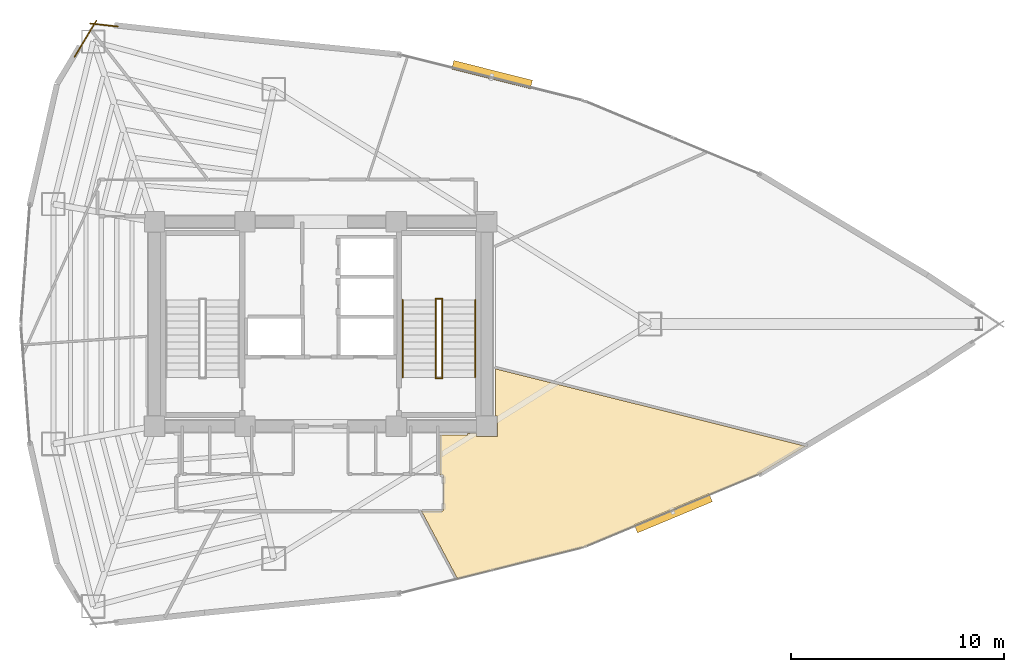
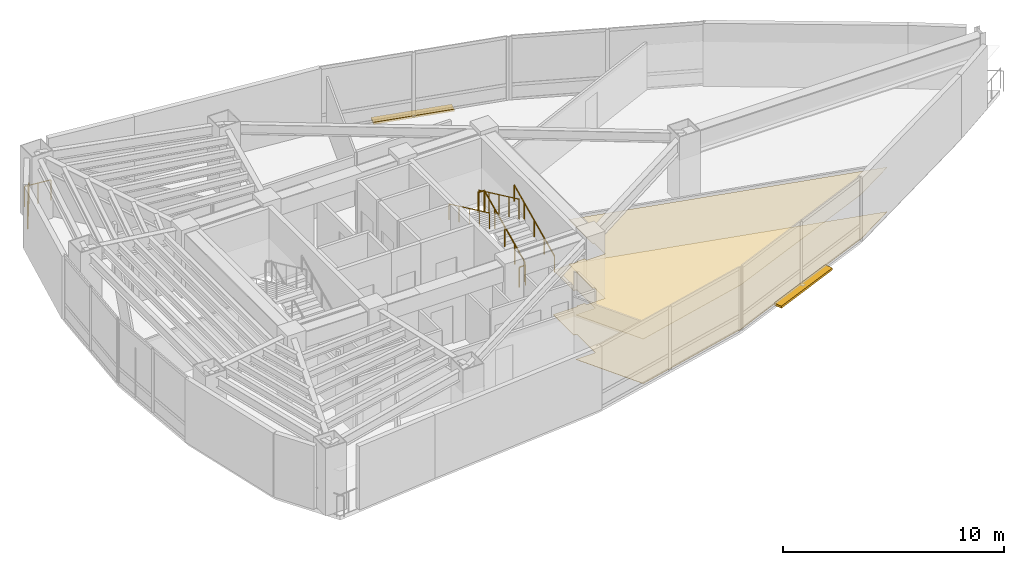
# One storey, part 17 of 18: 8 railings, 2 coverings, 2 shading devices.
"""IFC4 building model written with IfcOpenShell, lengths in metres."""

from ifc_helpers import new_model, si_unit, direction, frame, origin, origin_2d, place, context, subcontext, project, spatial, polyline, rectangle, circle, outline, extrude, material, layer, layer_set, type_object, element, save


model = new_model("IFC4")

# Units and contexts
model_context = context("Model", 3, precision=1e-05, world=origin(), true_north=direction((0.0, 1.0)))
body_context = subcontext(model_context, "Body", "Model", "MODEL_VIEW")
ifc_project = project(units=[si_unit("LENGTHUNIT", "METRE"), si_unit("AREAUNIT", "SQUARE_METRE"), si_unit("VOLUMEUNIT", "CUBIC_METRE"), si_unit("PLANEANGLEUNIT", "RADIAN"), si_unit("MASSUNIT", "GRAM", prefix="KILO")], contexts=[model_context])

# Site, building, storey
site_placement = place(None, origin())
site = spatial("IfcSite", under=ifc_project, at=site_placement, CompositionType="ELEMENT")
building_placement = place(site_placement, origin())
building = spatial("IfcBuilding", under=site, at=building_placement, Name="Menara Vayukalpa", CompositionType="ELEMENT")
storey_placement = place(building_placement, frame((0.0, 0.0, 161.760009765625)))
storey = spatial("IfcBuildingStorey", under=building, at=storey_placement, Name="L40", CompositionType="ELEMENT", Elevation=161.760009765625)

# Coverings
ifc_material_1 = material(Name="Mineral Fibre Acoustic Ceiling Tile", Category="masonry")
ifc_layer_1 = layer(ifc_material_1, 0.02490234375)
ifc_layer_set_1 = layer_set([ifc_layer_1], Name="Mineral Fibre Acoustic Ceiling Tile")
covering_type_1 = type_object("IfcCoveringType", Name="COV-CLG1", PredefinedType="CEILING", material=ifc_layer_set_1)
covering_1_placement = place(storey_placement, frame((0.0, 0.0, 2.449951171875)))
element("IfcCovering", 1, at=covering_1_placement, inside=storey, type_object=covering_type_1, Name="L40 Executive Office Suite Acoustic Ceiling", PredefinedType="CEILING", context=body_context, shape_type="SweptSolid", body=[
    extrude(outline(polyline([(37.957763671875, 11.53173828125), (32.0322265625, 10.046630859375), (32.031494140625, 10.04638671875), (32.030517578125, 10.04638671875), (32.029541015625, 10.04638671875), (32.028564453125, 10.04638671875), (32.027587890625, 10.046630859375), (32.026611328125, 10.046875), (32.02587890625, 10.047119140625), (32.02490234375, 10.047607421875), (32.024169921875, 10.048095703125), (32.0234375, 10.048583984375), (32.022705078125, 10.04931640625), (32.022216796875, 10.050048828125), (32.021484375, 10.05078125), (32.02099609375, 10.051513671875), (30.34423828125, 13.205322265625), (30.34375, 13.206298828125), (30.343505859375, 13.20703125), (30.34326171875, 13.2080078125), (30.343017578125, 13.208984375), (30.343017578125, 13.2099609375), (30.343017578125, 13.2109375), (30.34326171875, 13.2119140625), (30.343505859375, 13.212890625), (30.34375, 13.2138671875), (30.34423828125, 13.214599609375), (30.3447265625, 13.215576171875), (30.34521484375, 13.21630859375), (30.345947265625, 13.217041015625), (30.3466796875, 13.2177734375), (30.347412109375, 13.21826171875), (30.348388671875, 13.21875), (30.34912109375, 13.21923828125), (30.35009765625, 13.219482421875), (30.35107421875, 13.2197265625), (30.35205078125, 13.219970703125), (30.35302734375, 13.219970703125), (31.2998046875, 13.219970703125), (31.306884765625, 13.220458984375), (31.313720703125, 13.22119140625), (31.3203125, 13.222900390625), (31.326904296875, 13.225341796875), (31.3330078125, 13.228271484375), (31.3388671875, 13.231689453125), (31.344482421875, 13.236083984375), (31.349609375, 13.240478515625), (31.35400390625, 13.24560546875), (31.358154296875, 13.251220703125), (31.36181640625, 13.257080078125), (31.36474609375, 13.26318359375), (31.366943359375, 13.269775390625), (31.36865234375, 13.2763671875), (31.36962890625, 13.283203125), (31.3701171875, 13.290283203125), (31.3701171875, 14.849609375), (31.36962890625, 14.856689453125), (31.36865234375, 14.86376953125), (31.366943359375, 14.870361328125), (31.36474609375, 14.876708984375), (31.36181640625, 14.883056640625), (31.358154296875, 14.888916015625), (31.35400390625, 14.89453125), (31.349609375, 14.8994140625), (31.344482421875, 14.904052734375), (31.3388671875, 14.908203125), (31.3330078125, 14.911865234375), (31.326904296875, 14.914794921875), (31.3203125, 14.9169921875), (31.313720703125, 14.918701171875), (31.306884765625, 14.919677734375), (31.2998046875, 14.919921875), (31.219970703125, 14.919921875), (31.218994140625, 14.919921875), (31.218017578125, 14.920166015625), (31.217041015625, 14.92041015625), (31.21630859375, 14.9208984375), (31.21533203125, 14.921142578125), (31.21435546875, 14.921630859375), (31.213623046875, 14.92236328125), (31.212890625, 14.9228515625), (31.21240234375, 14.923583984375), (31.211669921875, 14.92431640625), (31.211181640625, 14.92529296875), (31.210693359375, 14.92626953125), (31.21044921875, 14.927001953125), (31.210205078125, 14.927978515625), (31.2099609375, 14.928955078125), (31.2099609375, 14.929931640625), (31.2099609375, 16.780029296875), (31.2099609375, 16.781005859375), (31.210205078125, 16.781982421875), (31.21044921875, 16.782958984375), (31.210693359375, 16.78369140625), (31.211181640625, 16.78466796875), (31.211669921875, 16.78564453125), (31.21240234375, 16.786376953125), (31.212890625, 16.787109375), (31.213623046875, 16.78759765625), (31.21435546875, 16.788330078125), (31.21533203125, 16.788818359375), (31.21630859375, 16.789306640625), (31.217041015625, 16.78955078125), (31.218017578125, 16.789794921875), (31.218994140625, 16.7900390625), (31.219970703125, 16.7900390625), (32.489990234375, 16.7900390625), (32.489990234375, 16.85009765625), (32.909912109375, 16.85009765625), (32.909912109375, 16.7099609375), (33.889892578125, 16.7099609375), (33.889892578125, 17.68994140625), (33.81005859375, 17.68994140625), (33.81005859375, 19.87841796875), (33.81005859375, 19.87939453125), (33.810302734375, 19.88037109375), (33.810546875, 19.88134765625), (33.810791015625, 19.88232421875), (33.811279296875, 19.88330078125), (33.811767578125, 19.884033203125), (33.8125, 19.885009765625), (33.81298828125, 19.885498046875), (33.813720703125, 19.88623046875), (33.814697265625, 19.886962890625), (33.8154296875, 19.887451171875), (33.81640625, 19.8876953125), (33.8173828125, 19.88818359375), (33.818359375, 19.88818359375), (33.8193359375, 19.888427734375), (33.8203125, 19.888427734375), (33.8212890625, 19.88818359375), (33.822509765625, 19.88818359375), (48.334716796875, 16.269775390625), (48.335693359375, 16.26953125), (48.33642578125, 16.26904296875), (48.33740234375, 16.268798828125), (48.338134765625, 16.26806640625), (48.3388671875, 16.267578125), (48.339599609375, 16.266845703125), (48.340087890625, 16.26611328125), (48.3408203125, 16.265380859375), (48.34130859375, 16.264404296875), (48.341552734375, 16.263427734375), (48.341796875, 16.262451171875), (48.342041015625, 16.26171875), (48.34228515625, 16.260498046875), (48.34228515625, 16.259521484375), (48.342041015625, 16.258544921875), (48.341796875, 16.2578125), (48.341552734375, 16.256591796875), (48.34130859375, 16.255859375), (48.3408203125, 16.2548828125), (48.340087890625, 16.254150390625), (48.339599609375, 16.25341796875), (48.3388671875, 16.252685546875), (48.338134765625, 16.252197265625), (48.33740234375, 16.25146484375), (46.231201171875, 14.98388671875), (46.22998046875, 14.9833984375), (37.959228515625, 11.5322265625), (37.95849609375, 11.531982421875), (37.957763671875, 11.53173828125)])), origin(), (0.0, 0.0, 1.0), 0.025146484375),
])
ifc_material_2 = material(Name="Porcelain Stoneware Floor Tile", Category="masonry")
ifc_layer_2 = layer(ifc_material_2, 0.02001953125)
ifc_layer_set_2 = layer_set([ifc_layer_2], Name="Porcelain Stoneware Floor Tile")
covering_type_2 = type_object("IfcCoveringType", Name="COV-FLR1", PredefinedType="FLOORING", material=ifc_layer_set_2)
covering_2_placement = place(storey_placement, origin())
element("IfcCovering", 2, at=covering_2_placement, inside=storey, type_object=covering_type_2, Name="L40 Executive Office Suite Porcelain Flooring", PredefinedType="FLOORING", context=body_context, shape_type="SweptSolid", body=[
    extrude(outline(polyline([(37.957763671875, 11.53173828125), (32.0322265625, 10.046630859375), (32.031494140625, 10.04638671875), (32.030517578125, 10.04638671875), (32.029541015625, 10.04638671875), (32.028564453125, 10.04638671875), (32.027587890625, 10.046630859375), (32.026611328125, 10.046875), (32.02587890625, 10.047119140625), (32.02490234375, 10.047607421875), (32.024169921875, 10.048095703125), (32.0234375, 10.048583984375), (32.022705078125, 10.04931640625), (32.022216796875, 10.050048828125), (32.021484375, 10.05078125), (32.02099609375, 10.051513671875), (30.34423828125, 13.205322265625), (30.34375, 13.206298828125), (30.343505859375, 13.20703125), (30.34326171875, 13.2080078125), (30.343017578125, 13.208984375), (30.343017578125, 13.2099609375), (30.343017578125, 13.2109375), (30.34326171875, 13.2119140625), (30.343505859375, 13.212890625), (30.34375, 13.2138671875), (30.34423828125, 13.214599609375), (30.3447265625, 13.215576171875), (30.34521484375, 13.21630859375), (30.345947265625, 13.217041015625), (30.3466796875, 13.2177734375), (30.347412109375, 13.21826171875), (30.348388671875, 13.21875), (30.34912109375, 13.21923828125), (30.35009765625, 13.219482421875), (30.35107421875, 13.2197265625), (30.35205078125, 13.219970703125), (30.35302734375, 13.219970703125), (31.2998046875, 13.219970703125), (31.306884765625, 13.220458984375), (31.313720703125, 13.22119140625), (31.3203125, 13.222900390625), (31.326904296875, 13.225341796875), (31.3330078125, 13.228271484375), (31.3388671875, 13.231689453125), (31.344482421875, 13.236083984375), (31.349609375, 13.240478515625), (31.35400390625, 13.24560546875), (31.358154296875, 13.251220703125), (31.36181640625, 13.257080078125), (31.36474609375, 13.26318359375), (31.366943359375, 13.269775390625), (31.36865234375, 13.2763671875), (31.36962890625, 13.283203125), (31.3701171875, 13.290283203125), (31.3701171875, 14.849609375), (31.36962890625, 14.856689453125), (31.36865234375, 14.86376953125), (31.366943359375, 14.870361328125), (31.36474609375, 14.876708984375), (31.36181640625, 14.883056640625), (31.358154296875, 14.888916015625), (31.35400390625, 14.89453125), (31.349609375, 14.8994140625), (31.344482421875, 14.904052734375), (31.3388671875, 14.908203125), (31.3330078125, 14.911865234375), (31.326904296875, 14.914794921875), (31.3203125, 14.9169921875), (31.313720703125, 14.918701171875), (31.306884765625, 14.919677734375), (31.2998046875, 14.919921875), (31.219970703125, 14.919921875), (31.218994140625, 14.919921875), (31.218017578125, 14.920166015625), (31.217041015625, 14.92041015625), (31.21630859375, 14.9208984375), (31.21533203125, 14.921142578125), (31.21435546875, 14.921630859375), (31.213623046875, 14.92236328125), (31.212890625, 14.9228515625), (31.21240234375, 14.923583984375), (31.211669921875, 14.92431640625), (31.211181640625, 14.92529296875), (31.210693359375, 14.92626953125), (31.21044921875, 14.927001953125), (31.210205078125, 14.927978515625), (31.2099609375, 14.928955078125), (31.2099609375, 14.929931640625), (31.2099609375, 16.780029296875), (31.2099609375, 16.781005859375), (31.210205078125, 16.781982421875), (31.21044921875, 16.782958984375), (31.210693359375, 16.78369140625), (31.211181640625, 16.78466796875), (31.211669921875, 16.78564453125), (31.21240234375, 16.786376953125), (31.212890625, 16.787109375), (31.213623046875, 16.78759765625), (31.21435546875, 16.788330078125), (31.21533203125, 16.788818359375), (31.21630859375, 16.789306640625), (31.217041015625, 16.78955078125), (31.218017578125, 16.789794921875), (31.218994140625, 16.7900390625), (31.219970703125, 16.7900390625), (32.489990234375, 16.7900390625), (32.489990234375, 16.85009765625), (32.909912109375, 16.85009765625), (32.909912109375, 16.7099609375), (33.889892578125, 16.7099609375), (33.889892578125, 17.68994140625), (33.81005859375, 17.68994140625), (33.81005859375, 19.87841796875), (33.81005859375, 19.87939453125), (33.810302734375, 19.88037109375), (33.810546875, 19.88134765625), (33.810791015625, 19.88232421875), (33.811279296875, 19.88330078125), (33.811767578125, 19.884033203125), (33.8125, 19.885009765625), (33.81298828125, 19.885498046875), (33.813720703125, 19.88623046875), (33.814697265625, 19.886962890625), (33.8154296875, 19.887451171875), (33.81640625, 19.8876953125), (33.8173828125, 19.88818359375), (33.818359375, 19.88818359375), (33.8193359375, 19.888427734375), (33.8203125, 19.888427734375), (33.8212890625, 19.88818359375), (33.822509765625, 19.88818359375), (48.334716796875, 16.269775390625), (48.335693359375, 16.26953125), (48.33642578125, 16.26904296875), (48.33740234375, 16.268798828125), (48.338134765625, 16.26806640625), (48.3388671875, 16.267578125), (48.339599609375, 16.266845703125), (48.340087890625, 16.26611328125), (48.3408203125, 16.265380859375), (48.34130859375, 16.264404296875), (48.341552734375, 16.263427734375), (48.341796875, 16.262451171875), (48.342041015625, 16.26171875), (48.34228515625, 16.260498046875), (48.34228515625, 16.259521484375), (48.342041015625, 16.258544921875), (48.341796875, 16.2578125), (48.341552734375, 16.256591796875), (48.34130859375, 16.255859375), (48.3408203125, 16.2548828125), (48.340087890625, 16.254150390625), (48.339599609375, 16.25341796875), (48.3388671875, 16.252685546875), (48.338134765625, 16.252197265625), (48.33740234375, 16.25146484375), (46.231201171875, 14.98388671875), (46.22998046875, 14.9833984375), (37.959228515625, 11.5322265625), (37.95849609375, 11.531982421875), (37.957763671875, 11.53173828125)])), origin(), (0.0, 0.0, 1.0), 0.02001953125),
])

# Railings
ifc_material_3 = material(Name="Laminated Glass and Stainless Steel 316 Guardrail", Category="steel")
railing_type_1 = type_object("IfcRailingType", Name="RLG-EXT115", PredefinedType="GUARDRAIL", material=ifc_material_3)
railing_1_placement = place(storey_placement, frame((16.074951171875, 35.964111328125, 0.0)))
element("IfcRailing", 3, at=railing_1_placement, inside=storey, type_object=railing_type_1, Name="L40 Column Corner Spandrel Guardrail 07-1", PredefinedType="GUARDRAIL", context=body_context, shape_type="SweptSolid", body=[
    extrude(circle(Radius=0.02392578125, at=origin_2d()), frame((0.0, 0.0, 1.1259765625), z_axis=(-0.99393179446, 0.109998127083, 0.0), x_axis=(-0.109998127083, -0.99393179446, 0.0)), (0.0, 0.0, 1.0), 1.29833984375),
    extrude(circle(Radius=0.02099609375, at=origin_2d()), origin(), (0.0, 0.0, 1.0), 1.101806640625),
    extrude(circle(Radius=0.02099609375, at=origin_2d()), frame((-0.645263671875, 0.0712890625, 0.0)), (0.0, 0.0, 1.0), 1.101806640625),
    extrude(circle(Radius=0.02099609375, at=origin_2d()), frame((-1.29052734375, 0.142822265625, 0.0)), (0.0, 0.0, 1.0), 1.101806640625),
])
railing_2_placement = place(storey_placement, frame((15.074462890625, 36.250244140625, 0.0)))
element("IfcRailing", 4, at=railing_2_placement, inside=storey, type_object=railing_type_1, Name="L40 Column Corner Spandrel Guardrail 08-1", PredefinedType="GUARDRAIL", context=body_context, shape_type="SweptSolid", body=[
    extrude(circle(Radius=0.02392578125, at=origin_2d()), frame((0.0, 0.0, 1.1259765625), z_axis=(-0.516238473258, -0.856444883649, 0.0), x_axis=(0.856444883649, -0.516238473258, 0.0)), (0.0, 0.0, 1.0), 1.9970703125),
    extrude(circle(Radius=0.02099609375, at=origin_2d()), origin(), (0.0, 0.0, 1.0), 1.101806640625),
    extrude(circle(Radius=0.02099609375, at=origin_2d()), frame((-0.515625, -0.855224609375, 0.0)), (0.0, 0.0, 1.0), 1.101806640625),
    extrude(circle(Radius=0.02099609375, at=origin_2d()), frame((-1.031005859375, -1.71044921875, 0.0)), (0.0, 0.0, 1.0), 1.101806640625),
])
ifc_material_4 = material(Name="Powder-Coated Galvanised Steel Guardrail", Category="steel")
railing_type_2 = type_object("IfcRailingType", Name="RLG-STG110", PredefinedType="GUARDRAIL", material=ifc_material_4)
railing_3_placement = place(storey_placement, frame((31.300048828125, 19.5, 0.155029296875)))
element("IfcRailing", 5, at=railing_3_placement, inside=storey, type_object=railing_type_2, Name="L40 ST-2 stair guard 1", PredefinedType="GUARDRAIL", context=body_context, shape_type="SweptSolid", body=[
    extrude(circle(Radius=0.02392578125, at=origin_2d()), frame((0.0, 0.0, 1.09619140625), z_axis=(0.0, 0.90511648382, 0.425163675209), x_axis=(-1.0, 0.0, 0.0)), (0.0, 0.0, 1.0), 4.010498046875),
    extrude(circle(Radius=0.02099609375, at=origin_2d()), origin(), (0.0, 0.0, 1.0), 1.072021484375),
    extrude(circle(Radius=0.02099609375, at=origin_2d()), frame((0.0, 0.907470703125, 0.42626953125)), (0.0, 0.0, 1.0), 1.072021484375),
    extrude(circle(Radius=0.02099609375, at=origin_2d()), frame((0.0, 1.81494140625, 0.8525390625)), (0.0, 0.0, 1.0), 1.072021484375),
    extrude(circle(Radius=0.02099609375, at=origin_2d()), frame((0.0, 2.722412109375, 1.27880859375)), (0.0, 0.0, 1.0), 1.072021484375),
    extrude(circle(Radius=0.02099609375, at=origin_2d()), frame((0.0, 3.6298828125, 1.705078125)), (0.0, 0.0, 1.0), 1.072021484375),
])
railing_4_placement = place(storey_placement, frame((31.31005859375, 23.179931640625, 1.860107421875)))
element("IfcRailing", 6, at=railing_4_placement, inside=storey, type_object=railing_type_2, Name="L40 ST-2 stair guard 2", PredefinedType="GUARDRAIL", context=body_context, shape_type="SweptSolid", body=[
    extrude(circle(Radius=0.02392578125, at=origin_2d()), frame((0.0, 0.0, 1.09619140625), z_axis=(-1.0, 0.0, 0.0), x_axis=(0.0, -1.0, 0.0)), (0.0, 0.0, 1.0), 0.320068359375),
    extrude(circle(Radius=0.02099609375, at=origin_2d()), origin(), (0.0, 0.0, 1.0), 1.072021484375),
    extrude(circle(Radius=0.02099609375, at=origin_2d()), frame((-0.320068359375, 0.0, 0.0)), (0.0, 0.0, 1.0), 1.072021484375),
])
railing_5_placement = place(storey_placement, frame((31.0, 23.1298828125, 2.014892578125)))
element("IfcRailing", 7, at=railing_5_placement, inside=storey, type_object=railing_type_2, Name="L40 ST-2 stair guard 3", PredefinedType="GUARDRAIL", context=body_context, shape_type="SweptSolid", body=[
    extrude(circle(Radius=0.02392578125, at=origin_2d()), frame((0.0, 0.0, 1.09619140625), z_axis=(0.0, -0.90511648382, 0.425163675209), x_axis=(1.0, 0.0, 0.0)), (0.0, 0.0, 1.0), 4.010498046875),
    extrude(circle(Radius=0.02099609375, at=origin_2d()), origin(), (0.0, 0.0, 1.0), 1.072021484375),
    extrude(circle(Radius=0.02099609375, at=origin_2d()), frame((0.0, -0.907470703125, 0.42626953125)), (0.0, 0.0, 1.0), 1.072021484375),
    extrude(circle(Radius=0.02099609375, at=origin_2d()), frame((0.0, -1.81494140625, 0.8525390625)), (0.0, 0.0, 1.0), 1.072021484375),
    extrude(circle(Radius=0.02099609375, at=origin_2d()), frame((0.0, -2.722412109375, 1.27880859375)), (0.0, 0.0, 1.0), 1.072021484375),
    extrude(circle(Radius=0.02099609375, at=origin_2d()), frame((0.0, -3.6298828125, 1.705078125)), (0.0, 0.0, 1.0), 1.072021484375),
])
railing_6_placement = place(storey_placement, frame((31.31005859375, 19.449951171875, 0.0)))
element("IfcRailing", 8, at=railing_6_placement, inside=storey, type_object=railing_type_2, Name="L40 ST-2 stair guard 4", PredefinedType="GUARDRAIL", context=body_context, shape_type="SweptSolid", body=[
    extrude(circle(Radius=0.02392578125, at=origin_2d()), frame((0.0, 0.0, 1.09619140625), z_axis=(-1.0, 0.0, 0.0), x_axis=(0.0, -1.0, 0.0)), (0.0, 0.0, 1.0), 0.320068359375),
    extrude(circle(Radius=0.02099609375, at=origin_2d()), origin(), (0.0, 0.0, 1.0), 1.072021484375),
    extrude(circle(Radius=0.02099609375, at=origin_2d()), frame((-0.320068359375, 0.0, 0.0)), (0.0, 0.0, 1.0), 1.072021484375),
])
ifc_material_5 = material(Name="Stainless Steel 316 Tubular Handrail", Category="steel")
railing_type_3 = type_object("IfcRailingType", Name="RLG-STH090", PredefinedType="HANDRAIL", material=ifc_material_5)
railing_7_placement = place(storey_placement, frame((32.85009765625, 19.5, 0.155029296875)))
element("IfcRailing", 9, at=railing_7_placement, inside=storey, type_object=railing_type_3, Name="L40 ST-2 stair handrail 1", PredefinedType="HANDRAIL", context=body_context, shape_type="SweptSolid", body=[
    extrude(circle(Radius=0.02392578125, at=origin_2d()), frame((0.0, 0.0, 0.8759765625), z_axis=(0.0, 0.90511648382, 0.425163675209), x_axis=(-1.0, 0.0, 0.0)), (0.0, 0.0, 1.0), 4.010498046875),
    extrude(circle(Radius=0.02099609375, at=origin_2d()), origin(), (0.0, 0.0, 1.0), 0.851806640625),
    extrude(circle(Radius=0.02099609375, at=origin_2d()), frame((0.0, 0.907470703125, 0.42626953125)), (0.0, 0.0, 1.0), 0.851806640625),
    extrude(circle(Radius=0.02099609375, at=origin_2d()), frame((0.0, 1.81494140625, 0.8525390625)), (0.0, 0.0, 1.0), 0.851806640625),
    extrude(circle(Radius=0.02099609375, at=origin_2d()), frame((0.0, 2.722412109375, 1.27880859375)), (0.0, 0.0, 1.0), 0.851806640625),
    extrude(circle(Radius=0.02099609375, at=origin_2d()), frame((0.0, 3.6298828125, 1.705078125)), (0.0, 0.0, 1.0), 0.851806640625),
])
railing_8_placement = place(storey_placement, frame((29.449951171875, 23.1298828125, 2.014892578125)))
element("IfcRailing", 10, at=railing_8_placement, inside=storey, type_object=railing_type_3, Name="L40 ST-2 stair handrail 2", PredefinedType="HANDRAIL", context=body_context, shape_type="SweptSolid", body=[
    extrude(circle(Radius=0.02392578125, at=origin_2d()), frame((0.0, 0.0, 0.8759765625), z_axis=(0.0, -0.90511648382, 0.425163675209), x_axis=(1.0, 0.0, 0.0)), (0.0, 0.0, 1.0), 4.010498046875),
    extrude(circle(Radius=0.02099609375, at=origin_2d()), origin(), (0.0, 0.0, 1.0), 0.851806640625),
    extrude(circle(Radius=0.02099609375, at=origin_2d()), frame((0.0, -0.907470703125, 0.42626953125)), (0.0, 0.0, 1.0), 0.851806640625),
    extrude(circle(Radius=0.02099609375, at=origin_2d()), frame((0.0, -1.81494140625, 0.8525390625)), (0.0, 0.0, 1.0), 0.851806640625),
    extrude(circle(Radius=0.02099609375, at=origin_2d()), frame((0.0, -2.722412109375, 1.27880859375)), (0.0, 0.0, 1.0), 0.851806640625),
    extrude(circle(Radius=0.02099609375, at=origin_2d()), frame((0.0, -3.6298828125, 1.705078125)), (0.0, 0.0, 1.0), 0.851806640625),
])

# Shading devices
ifc_material_6 = material(Name="Glazed Terracotta Ceramic Baguette Extrusion", Category="masonry")
ifc_layer_3 = layer(ifc_material_6, 0.1201171875)
ifc_layer_set_3 = layer_set([ifc_layer_3], Name="Glazed Terracotta Ceramic Baguette Extrusion")
shading_device_type = type_object("IfcShadingDeviceType", Name="SHD-SS1", PredefinedType="USERDEFINED", material=ifc_layer_set_3)
for number, where, z_axis, x_axis, name in (
    (11, (33.647705078125, 33.703125, -0.10009765625), (0.0, 0.0, 1.0), (-0.969999438853, 0.243107154615, 0.0), "L40 Horizontal Terracotta Sunshade Band 05"),
    (12, (42.15234375, 13.119384765625, -0.10009765625), (0.0, 0.0, 1.0), (0.922881225826, 0.38508472187, 0.0), "L40 Horizontal Terracotta Sunshade Band 17"),
):
    element("IfcShadingDevice", number, at=place(storey_placement, frame(where, z_axis=z_axis, x_axis=x_axis)), inside=storey, type_object=shading_device_type, Name=name, ObjectType="SUNSHADE", PredefinedType="USERDEFINED", context=body_context, shape_type="SweptSolid", body=[
        extrude(rectangle(XDim=3.800048828125, YDim=0.419921875, at=origin_2d()), origin(), (0.0, 0.0, 1.0), 0.1201171875),
    ])

save(model, "model.ifc")
